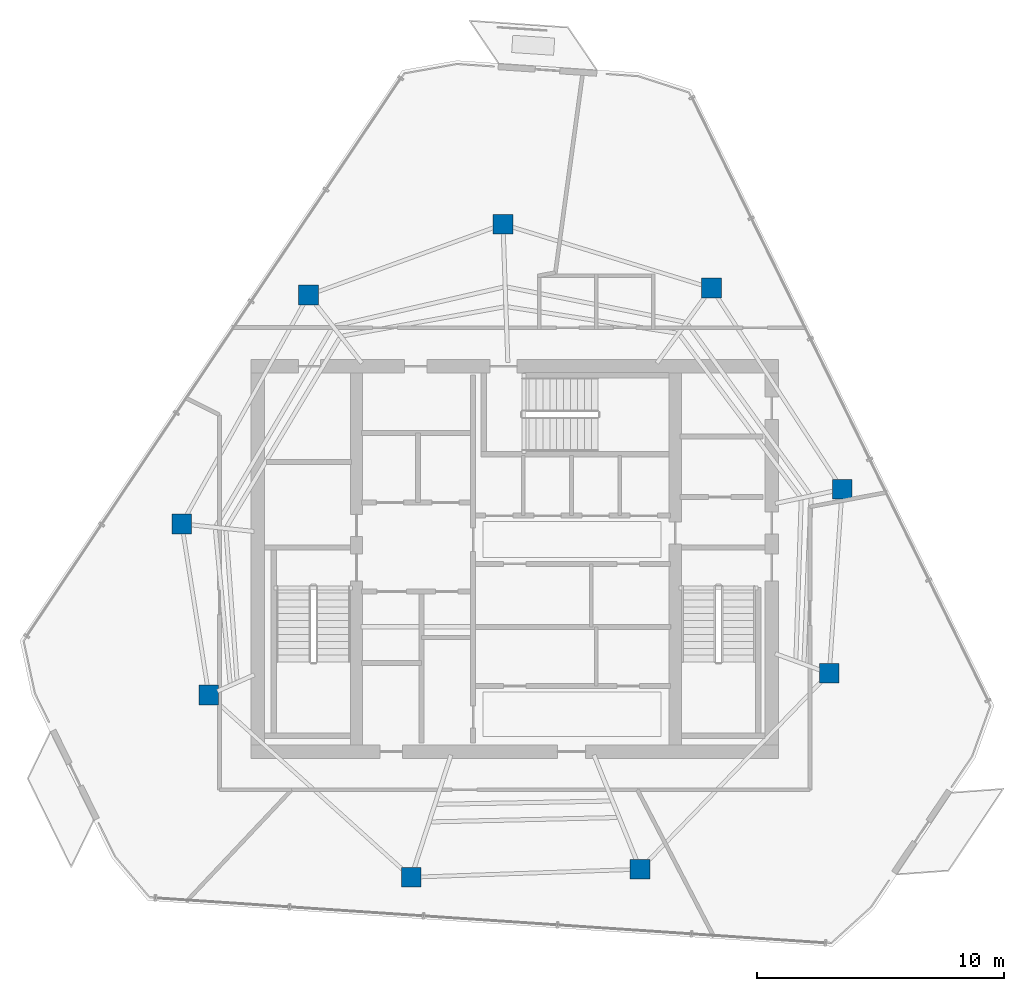
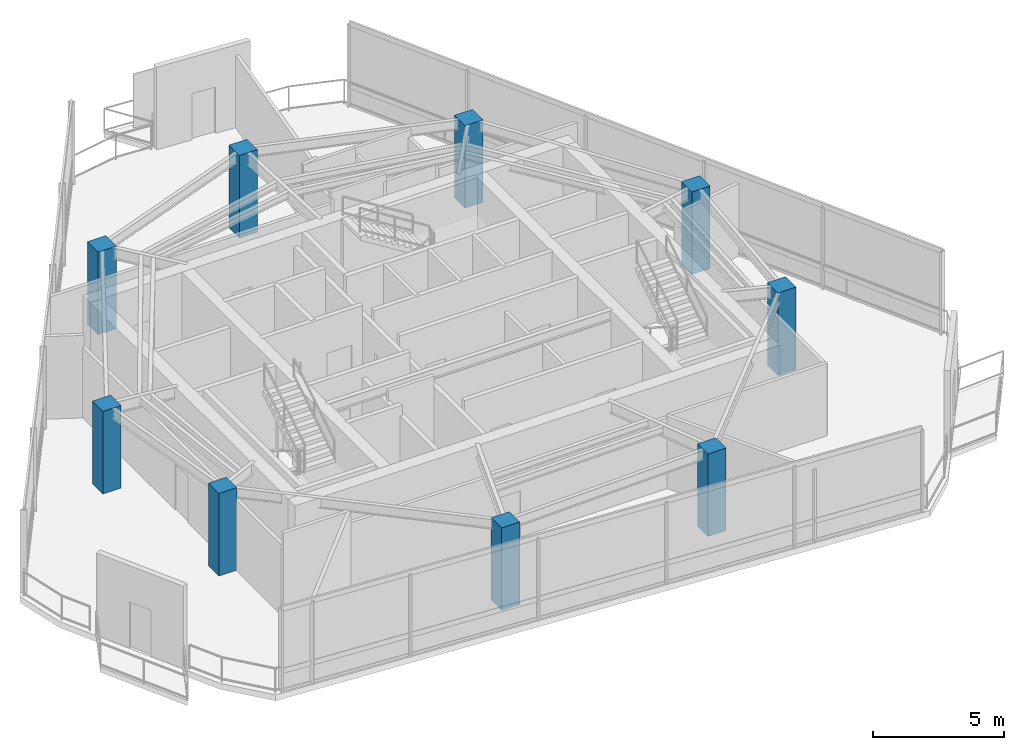
# One storey, part 1 of 18: 9 columns.
"""IFC4 building model written with IfcOpenShell, lengths in metres."""

from ifc_helpers import new_model, si_unit, direction, frame, origin, origin_2d, place, context, subcontext, project, spatial, rectangle, extrude, material, material_profile, profile_set, type_object, element, save


model = new_model("IFC4")

# Units and contexts
model_context = context("Model", 3, precision=1e-05, world=origin(), true_north=direction((0.0, 1.0)))
body_context = subcontext(model_context, "Body", "Model", "MODEL_VIEW")
ifc_project = project(units=[si_unit("LENGTHUNIT", "METRE"), si_unit("AREAUNIT", "SQUARE_METRE"), si_unit("VOLUMEUNIT", "CUBIC_METRE"), si_unit("PLANEANGLEUNIT", "RADIAN"), si_unit("MASSUNIT", "GRAM", prefix="KILO")], contexts=[model_context])

# Site, building, storey
site_placement = place(None, origin())
site = spatial("IfcSite", under=ifc_project, at=site_placement, CompositionType="ELEMENT")
building_placement = place(site_placement, origin())
building = spatial("IfcBuilding", under=site, at=building_placement, Name="Qarnah Convention Tower", CompositionType="ELEMENT")
storey_placement = place(building_placement, frame((0.0, 0.0, 279.300048828125)))
storey = spatial("IfcBuildingStorey", under=building, at=storey_placement, Name="L75", CompositionType="ELEMENT", Elevation=279.300048828125)

# Columns
ifc_material = material(Name="Concrete C50/60", Category="concrete")
ifc_material_profile = material_profile(ifc_material, rectangle(XDim=0.800048828125, YDim=0.800048828125, at=origin_2d()), Name="RC-COL-800X800")
ifc_profile_set = profile_set([ifc_material_profile], Name="Concrete C50/60")
column_type = type_object("IfcColumnType", Name="COL-Z5-800", PredefinedType="COLUMN", material=ifc_profile_set)
for number, where, z_axis, x_axis, name in (
    (1, (50.4541015625, 29.217041015625, 0.0), (0.0, 0.0, 1.0), (1.0, 0.0, 0.0), "L75 plumb column PC-Z5-01"),
    (2, (45.1640625, 37.362060546875, 0.0), (0.0, 0.0, 1.0), (1.0, 0.0, 0.0), "L75 plumb column PC-Z5-02"),
    (3, (36.72705078125, 39.94189453125, 0.0), (0.0, 0.0, 1.0), (1.0, 0.0, 0.0), "L75 plumb column PC-Z5-03"),
    (4, (28.85791015625, 37.077880859375, 0.0), (0.0, 0.0, 1.0), (1.0, 0.0, 0.0), "L75 plumb column PC-Z5-04"),
    (5, (23.72412109375, 27.81591796875, 0.0), (0.0, 0.0, 1.0), (1.0, 0.0, 0.0), "L75 plumb column PC-Z5-05"),
    (6, (24.821044921875, 20.888916015625, 0.0), (0.0, 0.0, 1.0), (1.0, 0.0, 0.0), "L75 plumb column PC-Z5-06"),
    (7, (33.012939453125, 13.512939453125, 0.0), (0.0, 0.0, 1.0), (1.0, 0.0, 0.0), "L75 plumb column PC-Z5-07"),
    (8, (42.27587890625, 13.8369140625, 0.0), (0.0, 0.0, 1.0), (1.0, 0.0, 0.0), "L75 plumb column PC-Z5-08"),
    (9, (49.93310546875, 21.76611328125, 0.0), (0.0, 0.0, 1.0), (1.0, 0.0, 0.0), "L75 plumb column PC-Z5-09"),
):
    element("IfcColumn", number, at=place(storey_placement, frame(where, z_axis=z_axis, x_axis=x_axis)), inside=storey, type_object=column_type, Name=name, PredefinedType="COLUMN", context=body_context, shape_type="SweptSolid", body=[
        extrude(rectangle(XDim=0.800048828125, YDim=0.800048828125, at=origin_2d()), origin(), (0.0, 0.0, 1.0), 3.83984375),
    ])

save(model, "model.ifc")
